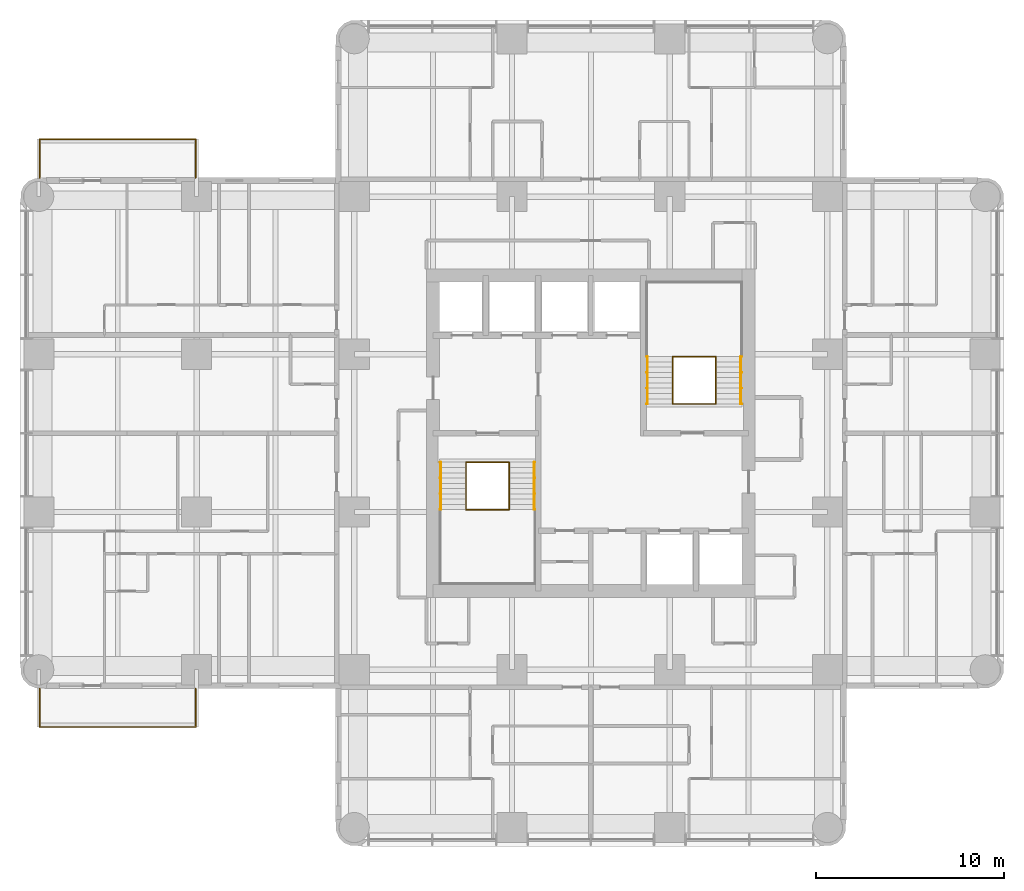
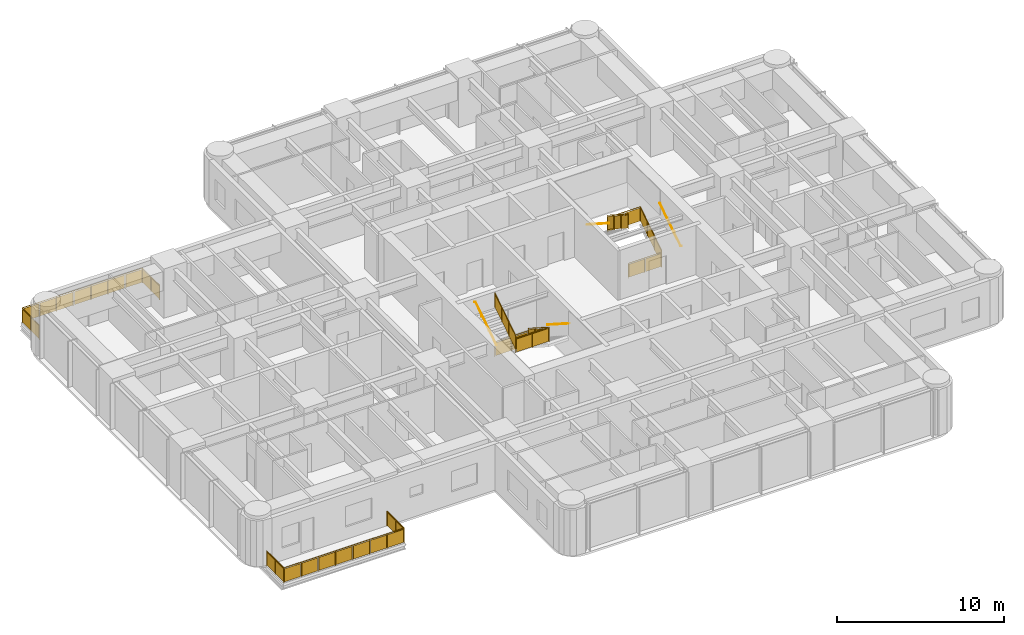
# One storey, part 11 of 11: 14 railings.
"""IFC4 building model written with IfcOpenShell, lengths in metres."""

from ifc_helpers import new_model, si_unit, direction, frame, origin, origin_2d, place, context, subcontext, project, spatial, polyline, circle, outline, extrude, material, constituent, constituent_set, type_object, element, save


model = new_model("IFC4")

# Units and contexts
model_context = context("Model", 3, precision=1e-05, world=origin(), true_north=direction((0.0, 1.0)))
body_context = subcontext(model_context, "Body", "Model", "MODEL_VIEW")
ifc_project = project(units=[si_unit("LENGTHUNIT", "METRE"), si_unit("AREAUNIT", "SQUARE_METRE"), si_unit("VOLUMEUNIT", "CUBIC_METRE"), si_unit("PLANEANGLEUNIT", "RADIAN"), si_unit("MASSUNIT", "GRAM", prefix="KILO")], contexts=[model_context])

# Site, building, storey
site_placement = place(None, origin())
site = spatial("IfcSite", under=ifc_project, at=site_placement, CompositionType="ELEMENT")
building_placement = place(site_placement, origin())
building = spatial("IfcBuilding", under=site, at=building_placement, Name="Torre Alcanfor", CompositionType="ELEMENT")
storey_placement = place(building_placement, frame((0.0, 0.0, 244.5)))
storey = spatial("IfcBuildingStorey", under=building, at=storey_placement, Name="L64", CompositionType="ELEMENT", Elevation=244.5)

# Railings
ifc_material_1 = material(Name="Laminated safety glass", Category="glass")
ifc_constituent_1 = constituent(ifc_material_1, Name="Infill")
ifc_material_2 = material(Name="Stainless steel ASTM A554 Grade MT 316L tube", Category="steel")
ifc_constituent_2 = constituent(ifc_material_2, Name="Posts and rail")
ifc_constituent_set = constituent_set(constituents=[ifc_constituent_1, ifc_constituent_2], Name="Balcony guard glass 1100")
railing_type_1 = type_object("IfcRailingType", Name="Balcony guard glass 1100", PredefinedType="BALUSTRADE", material=ifc_constituent_set)
railing_1_placement = place(storey_placement, frame((8.35009765625, 15.800048828125, 0.0)))
element("IfcRailing", 1, at=railing_1_placement, inside=storey, type_object=railing_type_1, Name="Balcony guard L64-W1", PredefinedType="BALUSTRADE", context=body_context, shape_type="SweptSolid", body=[
    extrude(circle(Radius=0.02392578125, at=origin_2d()), frame((0.0, 0.0, 1.076171875), z_axis=(0.0, -1.0, 0.0), x_axis=(1.0, 0.0, 0.0)), (0.0, 0.0, 1.0), 2.050048828125),
    extrude(circle(Radius=0.02392578125, at=origin_2d()), frame((0.0, -2.050048828125, 1.076171875), z_axis=(-1.0, 0.0, 0.0), x_axis=(0.0, -1.0, 0.0)), (0.0, 0.0, 1.0), 8.300048828125),
    extrude(circle(Radius=0.02392578125, at=origin_2d()), frame((-8.300048828125, -2.050048828125, 1.076171875), z_axis=(0.0, 1.0, 0.0), x_axis=(-1.0, 0.0, 0.0)), (0.0, 0.0, 1.0), 2.050048828125),
    extrude(circle(Radius=0.02099609375, at=origin_2d()), origin(), (0.0, 0.0, 1.0), 1.052001953125),
    extrude(circle(Radius=0.02099609375, at=origin_2d()), frame((0.0, -1.02490234375, 0.0)), (0.0, 0.0, 1.0), 1.052001953125),
    extrude(circle(Radius=0.02099609375, at=origin_2d()), frame((0.0, -2.050048828125, 0.0)), (0.0, 0.0, 1.0), 1.052001953125),
    extrude(circle(Radius=0.02099609375, at=origin_2d()), frame((-1.185791015625, -2.050048828125, 0.0)), (0.0, 0.0, 1.0), 1.052001953125),
    extrude(circle(Radius=0.02099609375, at=origin_2d()), frame((-2.371337890625, -2.050048828125, 0.0)), (0.0, 0.0, 1.0), 1.052001953125),
    extrude(circle(Radius=0.02099609375, at=origin_2d()), frame((-3.55712890625, -2.050048828125, 0.0)), (0.0, 0.0, 1.0), 1.052001953125),
    extrude(circle(Radius=0.02099609375, at=origin_2d()), frame((-4.742919921875, -2.050048828125, 0.0)), (0.0, 0.0, 1.0), 1.052001953125),
    extrude(circle(Radius=0.02099609375, at=origin_2d()), frame((-5.9287109375, -2.050048828125, 0.0)), (0.0, 0.0, 1.0), 1.052001953125),
    extrude(circle(Radius=0.02099609375, at=origin_2d()), frame((-7.1142578125, -2.050048828125, 0.0)), (0.0, 0.0, 1.0), 1.052001953125),
    extrude(circle(Radius=0.02099609375, at=origin_2d()), frame((-8.300048828125, -2.050048828125, 0.0)), (0.0, 0.0, 1.0), 1.052001953125),
    extrude(circle(Radius=0.02099609375, at=origin_2d()), frame((-8.300048828125, -1.02490234375, 0.0)), (0.0, 0.0, 1.0), 1.052001953125),
    extrude(circle(Radius=0.02099609375, at=origin_2d()), frame((-8.300048828125, 0.0, 0.0)), (0.0, 0.0, 1.0), 1.052001953125),
    extrude(outline(polyline([(0.041015625, 0.050048828125), (0.984130859375, 0.050048828125), (0.984130859375, 1.001953125), (0.041015625, 1.001953125), (0.041015625, 0.050048828125)])), frame((0.005859375, 0.0, 0.0), z_axis=(-1.0, 0.0, 0.0), x_axis=(0.0, -1.0, 0.0)), (0.0, 0.0, 1.0), 0.011962890625),
    extrude(outline(polyline([(1.06591796875, 0.050048828125), (2.009033203125, 0.050048828125), (2.009033203125, 1.001953125), (1.06591796875, 1.001953125), (1.06591796875, 0.050048828125)])), frame((0.005859375, 0.0, 0.0), z_axis=(-1.0, 0.0, 0.0), x_axis=(0.0, -1.0, 0.0)), (0.0, 0.0, 1.0), 0.011962890625),
    extrude(outline(polyline([(0.041015625, 0.050048828125), (1.144775390625, 0.050048828125), (1.144775390625, 1.001953125), (0.041015625, 1.001953125), (0.041015625, 0.050048828125)])), frame((0.0, -2.05615234375, 0.0), z_axis=(0.0, 1.0, 0.0), x_axis=(-1.0, 0.0, 0.0)), (0.0, 0.0, 1.0), 0.011962890625),
    extrude(outline(polyline([(1.226806640625, 0.050048828125), (2.330322265625, 0.050048828125), (2.330322265625, 1.001953125), (1.226806640625, 1.001953125), (1.226806640625, 0.050048828125)])), frame((0.0, -2.05615234375, 0.0), z_axis=(0.0, 1.0, 0.0), x_axis=(-1.0, 0.0, 0.0)), (0.0, 0.0, 1.0), 0.011962890625),
    extrude(outline(polyline([(2.412353515625, 0.050048828125), (3.51611328125, 0.050048828125), (3.51611328125, 1.001953125), (2.412353515625, 1.001953125), (2.412353515625, 0.050048828125)])), frame((0.0, -2.05615234375, 0.0), z_axis=(0.0, 1.0, 0.0), x_axis=(-1.0, 0.0, 0.0)), (0.0, 0.0, 1.0), 0.011962890625),
    extrude(outline(polyline([(3.59814453125, 0.050048828125), (4.701904296875, 0.050048828125), (4.701904296875, 1.001953125), (3.59814453125, 1.001953125), (3.59814453125, 0.050048828125)])), frame((0.0, -2.05615234375, 0.0), z_axis=(0.0, 1.0, 0.0), x_axis=(-1.0, 0.0, 0.0)), (0.0, 0.0, 1.0), 0.011962890625),
    extrude(outline(polyline([(4.783935546875, 0.050048828125), (5.8876953125, 0.050048828125), (5.8876953125, 1.001953125), (4.783935546875, 1.001953125), (4.783935546875, 0.050048828125)])), frame((0.0, -2.05615234375, 0.0), z_axis=(0.0, 1.0, 0.0), x_axis=(-1.0, 0.0, 0.0)), (0.0, 0.0, 1.0), 0.011962890625),
    extrude(outline(polyline([(5.9697265625, 0.050048828125), (7.0732421875, 0.050048828125), (7.0732421875, 1.001953125), (5.9697265625, 1.001953125), (5.9697265625, 0.050048828125)])), frame((0.0, -2.05615234375, 0.0), z_axis=(0.0, 1.0, 0.0), x_axis=(-1.0, 0.0, 0.0)), (0.0, 0.0, 1.0), 0.011962890625),
    extrude(outline(polyline([(7.1552734375, 0.050048828125), (8.259033203125, 0.050048828125), (8.259033203125, 1.001953125), (7.1552734375, 1.001953125), (7.1552734375, 0.050048828125)])), frame((0.0, -2.05615234375, 0.0), z_axis=(0.0, 1.0, 0.0), x_axis=(-1.0, 0.0, 0.0)), (0.0, 0.0, 1.0), 0.011962890625),
    extrude(outline(polyline([(0.041015625, 0.050048828125), (0.984130859375, 0.050048828125), (0.984130859375, 1.001953125), (0.041015625, 1.001953125), (0.041015625, 0.050048828125)])), frame((-8.30615234375, -2.050048828125, 0.0), z_axis=(1.0, 0.0, 0.0), x_axis=(0.0, 1.0, 0.0)), (0.0, 0.0, 1.0), 0.011962890625),
    extrude(outline(polyline([(1.06591796875, 0.050048828125), (2.009033203125, 0.050048828125), (2.009033203125, 1.001953125), (1.06591796875, 1.001953125), (1.06591796875, 0.050048828125)])), frame((-8.30615234375, -2.050048828125, 0.0), z_axis=(1.0, 0.0, 0.0), x_axis=(0.0, 1.0, 0.0)), (0.0, 0.0, 1.0), 0.011962890625),
])
railing_2_placement = place(storey_placement, frame((8.35009765625, 43.0, 0.0)))
element("IfcRailing", 2, at=railing_2_placement, inside=storey, type_object=railing_type_1, Name="Balcony guard L64-W2", PredefinedType="BALUSTRADE", context=body_context, shape_type="SweptSolid", body=[
    extrude(circle(Radius=0.02392578125, at=origin_2d()), frame((0.0, 0.0, 1.076171875), z_axis=(0.0, 1.0, 0.0), x_axis=(-1.0, 0.0, 0.0)), (0.0, 0.0, 1.0), 2.050048828125),
    extrude(circle(Radius=0.02392578125, at=origin_2d()), frame((0.0, 2.050048828125, 1.076171875), z_axis=(-1.0, 0.0, 0.0), x_axis=(0.0, -1.0, 0.0)), (0.0, 0.0, 1.0), 8.300048828125),
    extrude(circle(Radius=0.02392578125, at=origin_2d()), frame((-8.300048828125, 2.050048828125, 1.076171875), z_axis=(0.0, -1.0, 0.0), x_axis=(1.0, 0.0, 0.0)), (0.0, 0.0, 1.0), 2.050048828125),
    extrude(circle(Radius=0.02099609375, at=origin_2d()), origin(), (0.0, 0.0, 1.0), 1.052001953125),
    extrude(circle(Radius=0.02099609375, at=origin_2d()), frame((0.0, 1.02490234375, 0.0)), (0.0, 0.0, 1.0), 1.052001953125),
    extrude(circle(Radius=0.02099609375, at=origin_2d()), frame((0.0, 2.050048828125, 0.0)), (0.0, 0.0, 1.0), 1.052001953125),
    extrude(circle(Radius=0.02099609375, at=origin_2d()), frame((-1.185791015625, 2.050048828125, 0.0)), (0.0, 0.0, 1.0), 1.052001953125),
    extrude(circle(Radius=0.02099609375, at=origin_2d()), frame((-2.371337890625, 2.050048828125, 0.0)), (0.0, 0.0, 1.0), 1.052001953125),
    extrude(circle(Radius=0.02099609375, at=origin_2d()), frame((-3.55712890625, 2.050048828125, 0.0)), (0.0, 0.0, 1.0), 1.052001953125),
    extrude(circle(Radius=0.02099609375, at=origin_2d()), frame((-4.742919921875, 2.050048828125, 0.0)), (0.0, 0.0, 1.0), 1.052001953125),
    extrude(circle(Radius=0.02099609375, at=origin_2d()), frame((-5.9287109375, 2.050048828125, 0.0)), (0.0, 0.0, 1.0), 1.052001953125),
    extrude(circle(Radius=0.02099609375, at=origin_2d()), frame((-7.1142578125, 2.050048828125, 0.0)), (0.0, 0.0, 1.0), 1.052001953125),
    extrude(circle(Radius=0.02099609375, at=origin_2d()), frame((-8.300048828125, 2.050048828125, 0.0)), (0.0, 0.0, 1.0), 1.052001953125),
    extrude(circle(Radius=0.02099609375, at=origin_2d()), frame((-8.300048828125, 1.02490234375, 0.0)), (0.0, 0.0, 1.0), 1.052001953125),
    extrude(circle(Radius=0.02099609375, at=origin_2d()), frame((-8.300048828125, 0.0, 0.0)), (0.0, 0.0, 1.0), 1.052001953125),
    extrude(outline(polyline([(0.041015625, 0.050048828125), (0.984130859375, 0.050048828125), (0.984130859375, 1.001953125), (0.041015625, 1.001953125), (0.041015625, 0.050048828125)])), frame((-0.005859375, 0.0, 0.0), z_axis=(1.0, 0.0, 0.0), x_axis=(0.0, 1.0, 0.0)), (0.0, 0.0, 1.0), 0.011962890625),
    extrude(outline(polyline([(1.06591796875, 0.050048828125), (2.009033203125, 0.050048828125), (2.009033203125, 1.001953125), (1.06591796875, 1.001953125), (1.06591796875, 0.050048828125)])), frame((-0.005859375, 0.0, 0.0), z_axis=(1.0, 0.0, 0.0), x_axis=(0.0, 1.0, 0.0)), (0.0, 0.0, 1.0), 0.011962890625),
    extrude(outline(polyline([(0.041015625, 0.050048828125), (1.144775390625, 0.050048828125), (1.144775390625, 1.001953125), (0.041015625, 1.001953125), (0.041015625, 0.050048828125)])), frame((0.0, 2.0439453125, 0.0), z_axis=(0.0, 1.0, 0.0), x_axis=(-1.0, 0.0, 0.0)), (0.0, 0.0, 1.0), 0.011962890625),
    extrude(outline(polyline([(1.226806640625, 0.050048828125), (2.330322265625, 0.050048828125), (2.330322265625, 1.001953125), (1.226806640625, 1.001953125), (1.226806640625, 0.050048828125)])), frame((0.0, 2.0439453125, 0.0), z_axis=(0.0, 1.0, 0.0), x_axis=(-1.0, 0.0, 0.0)), (0.0, 0.0, 1.0), 0.011962890625),
    extrude(outline(polyline([(2.412353515625, 0.050048828125), (3.51611328125, 0.050048828125), (3.51611328125, 1.001953125), (2.412353515625, 1.001953125), (2.412353515625, 0.050048828125)])), frame((0.0, 2.0439453125, 0.0), z_axis=(0.0, 1.0, 0.0), x_axis=(-1.0, 0.0, 0.0)), (0.0, 0.0, 1.0), 0.011962890625),
    extrude(outline(polyline([(3.59814453125, 0.050048828125), (4.701904296875, 0.050048828125), (4.701904296875, 1.001953125), (3.59814453125, 1.001953125), (3.59814453125, 0.050048828125)])), frame((0.0, 2.0439453125, 0.0), z_axis=(0.0, 1.0, 0.0), x_axis=(-1.0, 0.0, 0.0)), (0.0, 0.0, 1.0), 0.011962890625),
    extrude(outline(polyline([(4.783935546875, 0.050048828125), (5.8876953125, 0.050048828125), (5.8876953125, 1.001953125), (4.783935546875, 1.001953125), (4.783935546875, 0.050048828125)])), frame((0.0, 2.0439453125, 0.0), z_axis=(0.0, 1.0, 0.0), x_axis=(-1.0, 0.0, 0.0)), (0.0, 0.0, 1.0), 0.011962890625),
    extrude(outline(polyline([(5.9697265625, 0.050048828125), (7.0732421875, 0.050048828125), (7.0732421875, 1.001953125), (5.9697265625, 1.001953125), (5.9697265625, 0.050048828125)])), frame((0.0, 2.0439453125, 0.0), z_axis=(0.0, 1.0, 0.0), x_axis=(-1.0, 0.0, 0.0)), (0.0, 0.0, 1.0), 0.011962890625),
    extrude(outline(polyline([(7.1552734375, 0.050048828125), (8.259033203125, 0.050048828125), (8.259033203125, 1.001953125), (7.1552734375, 1.001953125), (7.1552734375, 0.050048828125)])), frame((0.0, 2.0439453125, 0.0), z_axis=(0.0, 1.0, 0.0), x_axis=(-1.0, 0.0, 0.0)), (0.0, 0.0, 1.0), 0.011962890625),
    extrude(outline(polyline([(0.041015625, 0.050048828125), (0.984130859375, 0.050048828125), (0.984130859375, 1.001953125), (0.041015625, 1.001953125), (0.041015625, 0.050048828125)])), frame((-8.2939453125, 2.050048828125, 0.0), z_axis=(-1.0, 0.0, 0.0), x_axis=(0.0, -1.0, 0.0)), (0.0, 0.0, 1.0), 0.011962890625),
    extrude(outline(polyline([(1.06591796875, 0.050048828125), (2.009033203125, 0.050048828125), (2.009033203125, 1.001953125), (1.06591796875, 1.001953125), (1.06591796875, 0.050048828125)])), frame((-8.2939453125, 2.050048828125, 0.0), z_axis=(-1.0, 0.0, 0.0), x_axis=(0.0, -1.0, 0.0)), (0.0, 0.0, 1.0), 0.011962890625),
])
ifc_material_3 = material(Name="Steel ASTM A500 Grade C hollow sections", Category="steel")
railing_type_2 = type_object("IfcRailingType", Name="Stair guard and handrail 1100", PredefinedType="GUARDRAIL", material=ifc_material_3)
railing_3_placement = place(storey_placement, frame((25.050048828125, 27.85009765625, 0.179931640625)))
element("IfcRailing", 3, at=railing_3_placement, inside=storey, type_object=railing_type_2, Name="Stair guard S1 L64 flight 1", PredefinedType="GUARDRAIL", context=body_context, shape_type="SweptSolid", body=[
    extrude(circle(Radius=0.02392578125, at=origin_2d()), frame((0.0, 0.0, 1.076171875), z_axis=(0.0, -0.841162588446, 0.540782303519), x_axis=(1.0, 0.0, 0.0)), (0.0, 0.0, 1.0), 2.995849609375),
    extrude(circle(Radius=0.02099609375, at=origin_2d()), origin(), (0.0, 0.0, 1.0), 1.052001953125),
    extrude(circle(Radius=0.02099609375, at=origin_2d()), frame((0.0, -0.840087890625, 0.5400390625)), (0.0, 0.0, 1.0), 1.052001953125),
    extrude(circle(Radius=0.02099609375, at=origin_2d()), frame((0.0, -1.679931640625, 1.080078125)), (0.0, 0.0, 1.0), 1.052001953125),
    extrude(circle(Radius=0.02099609375, at=origin_2d()), frame((0.0, -2.52001953125, 1.6201171875)), (0.0, 0.0, 1.0), 1.052001953125),
    extrude(outline(polyline([(0.041015625, 0.076416015625), (0.799072265625, 0.563720703125), (0.799072265625, 1.515625), (0.041015625, 1.0283203125), (0.041015625, 0.076416015625)])), frame((0.005859375, 0.0, 0.0), z_axis=(-1.0, 0.0, 0.0), x_axis=(0.0, -1.0, 0.0)), (0.0, 0.0, 1.0), 0.011962890625),
    extrude(outline(polyline([(0.881103515625, 0.616455078125), (1.638916015625, 1.103759765625), (1.638916015625, 2.0556640625), (0.881103515625, 1.568359375), (0.881103515625, 0.616455078125)])), frame((0.005859375, 0.0, 0.0), z_axis=(-1.0, 0.0, 0.0), x_axis=(0.0, -1.0, 0.0)), (0.0, 0.0, 1.0), 0.011962890625),
    extrude(outline(polyline([(1.720947265625, 1.156494140625), (2.47900390625, 1.643798828125), (2.47900390625, 2.595703125), (1.720947265625, 2.1083984375), (1.720947265625, 1.156494140625)])), frame((0.005859375, 0.0, 0.0), z_axis=(-1.0, 0.0, 0.0), x_axis=(0.0, -1.0, 0.0)), (0.0, 0.0, 1.0), 0.011962890625),
])
railing_4_placement = place(storey_placement, frame((22.75, 25.330078125, 1.97998046875)))
element("IfcRailing", 4, at=railing_4_placement, inside=storey, type_object=railing_type_2, Name="Stair guard S1 L64 flight 2", PredefinedType="GUARDRAIL", context=body_context, shape_type="SweptSolid", body=[
    extrude(circle(Radius=0.02392578125, at=origin_2d()), frame((0.0, 0.0, 1.076171875), z_axis=(0.0, 0.841162588446, 0.540782303519), x_axis=(-1.0, 0.0, 0.0)), (0.0, 0.0, 1.0), 2.995849609375),
    extrude(circle(Radius=0.02099609375, at=origin_2d()), origin(), (0.0, 0.0, 1.0), 1.052001953125),
    extrude(circle(Radius=0.02099609375, at=origin_2d()), frame((0.0, 0.840087890625, 0.5400390625)), (0.0, 0.0, 1.0), 1.052001953125),
    extrude(circle(Radius=0.02099609375, at=origin_2d()), frame((0.0, 1.679931640625, 1.080078125)), (0.0, 0.0, 1.0), 1.052001953125),
    extrude(circle(Radius=0.02099609375, at=origin_2d()), frame((0.0, 2.52001953125, 1.6201171875)), (0.0, 0.0, 1.0), 1.052001953125),
    extrude(outline(polyline([(0.041015625, 0.076416015625), (0.799072265625, 0.563720703125), (0.799072265625, 1.515625), (0.041015625, 1.0283203125), (0.041015625, 0.076416015625)])), frame((-0.005859375, 0.0, 0.0), z_axis=(1.0, 0.0, 0.0), x_axis=(0.0, 1.0, 0.0)), (0.0, 0.0, 1.0), 0.011962890625),
    extrude(outline(polyline([(0.881103515625, 0.616455078125), (1.638916015625, 1.103759765625), (1.638916015625, 2.0556640625), (0.881103515625, 1.568359375), (0.881103515625, 0.616455078125)])), frame((-0.005859375, 0.0, 0.0), z_axis=(1.0, 0.0, 0.0), x_axis=(0.0, 1.0, 0.0)), (0.0, 0.0, 1.0), 0.011962890625),
    extrude(outline(polyline([(1.720947265625, 1.156494140625), (2.47900390625, 1.643798828125), (2.47900390625, 2.595703125), (1.720947265625, 2.1083984375), (1.720947265625, 1.156494140625)])), frame((-0.005859375, 0.0, 0.0), z_axis=(1.0, 0.0, 0.0), x_axis=(0.0, 1.0, 0.0)), (0.0, 0.0, 1.0), 0.011962890625),
])
for number, where, name in (
    (5, (22.75, 27.85009765625, 0.0), "Stair well guard S1 L64 floor landing"),
    (6, (22.75, 25.330078125, 1.800048828125), "Stair well guard S1 L64 half landing"),
):
    element("IfcRailing", number, at=place(storey_placement, frame(where)), inside=storey, type_object=railing_type_2, Name=name, PredefinedType="GUARDRAIL", context=body_context, shape_type="SweptSolid", body=[
        extrude(circle(Radius=0.02392578125, at=origin_2d()), frame((0.0, 0.0, 1.076171875), z_axis=(1.0, 0.0, 0.0), x_axis=(0.0, 1.0, 0.0)), (0.0, 0.0, 1.0), 2.300048828125),
        extrude(circle(Radius=0.02099609375, at=origin_2d()), origin(), (0.0, 0.0, 1.0), 1.052001953125),
        extrude(circle(Radius=0.02099609375, at=origin_2d()), frame((1.14990234375, 0.0, 0.0)), (0.0, 0.0, 1.0), 1.052001953125),
        extrude(circle(Radius=0.02099609375, at=origin_2d()), frame((2.300048828125, 0.0, 0.0)), (0.0, 0.0, 1.0), 1.052001953125),
        extrude(outline(polyline([(0.041015625, 0.050048828125), (1.109130859375, 0.050048828125), (1.109130859375, 1.001953125), (0.041015625, 1.001953125), (0.041015625, 0.050048828125)])), frame((0.0, 0.005859375, 0.0), z_axis=(0.0, -1.0, 0.0), x_axis=(1.0, 0.0, 0.0)), (0.0, 0.0, 1.0), 0.011962890625),
        extrude(outline(polyline([(1.19091796875, 0.050048828125), (2.259033203125, 0.050048828125), (2.259033203125, 1.001953125), (1.19091796875, 1.001953125), (1.19091796875, 0.050048828125)])), frame((0.0, 0.005859375, 0.0), z_axis=(0.0, -1.0, 0.0), x_axis=(1.0, 0.0, 0.0)), (0.0, 0.0, 1.0), 0.011962890625),
    ])
railing_5_placement = place(storey_placement, frame((36.050048828125, 30.949951171875, 0.179931640625)))
element("IfcRailing", 7, at=railing_5_placement, inside=storey, type_object=railing_type_2, Name="Stair guard S2 L64 flight 1", PredefinedType="GUARDRAIL", context=body_context, shape_type="SweptSolid", body=[
    extrude(circle(Radius=0.02392578125, at=origin_2d()), frame((0.0, 0.0, 1.076171875), z_axis=(0.0, 0.841162588446, 0.540782303519), x_axis=(-1.0, 0.0, 0.0)), (0.0, 0.0, 1.0), 2.995849609375),
    extrude(circle(Radius=0.02099609375, at=origin_2d()), origin(), (0.0, 0.0, 1.0), 1.052001953125),
    extrude(circle(Radius=0.02099609375, at=origin_2d()), frame((0.0, 0.840087890625, 0.5400390625)), (0.0, 0.0, 1.0), 1.052001953125),
    extrude(circle(Radius=0.02099609375, at=origin_2d()), frame((0.0, 1.679931640625, 1.080078125)), (0.0, 0.0, 1.0), 1.052001953125),
    extrude(circle(Radius=0.02099609375, at=origin_2d()), frame((0.0, 2.52001953125, 1.6201171875)), (0.0, 0.0, 1.0), 1.052001953125),
    extrude(outline(polyline([(0.041015625, 0.076416015625), (0.799072265625, 0.563720703125), (0.799072265625, 1.515625), (0.041015625, 1.0283203125), (0.041015625, 0.076416015625)])), frame((-0.005859375, 0.0, 0.0), z_axis=(1.0, 0.0, 0.0), x_axis=(0.0, 1.0, 0.0)), (0.0, 0.0, 1.0), 0.011962890625),
    extrude(outline(polyline([(0.881103515625, 0.616455078125), (1.638916015625, 1.103759765625), (1.638916015625, 2.0556640625), (0.881103515625, 1.568359375), (0.881103515625, 0.616455078125)])), frame((-0.005859375, 0.0, 0.0), z_axis=(1.0, 0.0, 0.0), x_axis=(0.0, 1.0, 0.0)), (0.0, 0.0, 1.0), 0.011962890625),
    extrude(outline(polyline([(1.720947265625, 1.156494140625), (2.47900390625, 1.643798828125), (2.47900390625, 2.595703125), (1.720947265625, 2.1083984375), (1.720947265625, 1.156494140625)])), frame((-0.005859375, 0.0, 0.0), z_axis=(1.0, 0.0, 0.0), x_axis=(0.0, 1.0, 0.0)), (0.0, 0.0, 1.0), 0.011962890625),
])
railing_6_placement = place(storey_placement, frame((33.75, 33.469970703125, 1.97998046875)))
element("IfcRailing", 8, at=railing_6_placement, inside=storey, type_object=railing_type_2, Name="Stair guard S2 L64 flight 2", PredefinedType="GUARDRAIL", context=body_context, shape_type="SweptSolid", body=[
    extrude(circle(Radius=0.02392578125, at=origin_2d()), frame((0.0, 0.0, 1.076171875), z_axis=(0.0, -0.841162588446, 0.540782303519), x_axis=(1.0, 0.0, 0.0)), (0.0, 0.0, 1.0), 2.995849609375),
    extrude(circle(Radius=0.02099609375, at=origin_2d()), origin(), (0.0, 0.0, 1.0), 1.052001953125),
    extrude(circle(Radius=0.02099609375, at=origin_2d()), frame((0.0, -0.840087890625, 0.5400390625)), (0.0, 0.0, 1.0), 1.052001953125),
    extrude(circle(Radius=0.02099609375, at=origin_2d()), frame((0.0, -1.679931640625, 1.080078125)), (0.0, 0.0, 1.0), 1.052001953125),
    extrude(circle(Radius=0.02099609375, at=origin_2d()), frame((0.0, -2.52001953125, 1.6201171875)), (0.0, 0.0, 1.0), 1.052001953125),
    extrude(outline(polyline([(0.041015625, 0.076416015625), (0.799072265625, 0.563720703125), (0.799072265625, 1.515625), (0.041015625, 1.0283203125), (0.041015625, 0.076416015625)])), frame((0.005859375, 0.0, 0.0), z_axis=(-1.0, 0.0, 0.0), x_axis=(0.0, -1.0, 0.0)), (0.0, 0.0, 1.0), 0.011962890625),
    extrude(outline(polyline([(0.881103515625, 0.616455078125), (1.638916015625, 1.103759765625), (1.638916015625, 2.0556640625), (0.881103515625, 1.568359375), (0.881103515625, 0.616455078125)])), frame((0.005859375, 0.0, 0.0), z_axis=(-1.0, 0.0, 0.0), x_axis=(0.0, -1.0, 0.0)), (0.0, 0.0, 1.0), 0.011962890625),
    extrude(outline(polyline([(1.720947265625, 1.156494140625), (2.47900390625, 1.643798828125), (2.47900390625, 2.595703125), (1.720947265625, 2.1083984375), (1.720947265625, 1.156494140625)])), frame((0.005859375, 0.0, 0.0), z_axis=(-1.0, 0.0, 0.0), x_axis=(0.0, -1.0, 0.0)), (0.0, 0.0, 1.0), 0.011962890625),
])
for number, where, name in (
    (9, (33.75, 30.949951171875, 0.0), "Stair well guard S2 L64 floor landing"),
    (10, (33.75, 33.469970703125, 1.800048828125), "Stair well guard S2 L64 half landing"),
):
    element("IfcRailing", number, at=place(storey_placement, frame(where)), inside=storey, type_object=railing_type_2, Name=name, PredefinedType="GUARDRAIL", context=body_context, shape_type="SweptSolid", body=[
        extrude(circle(Radius=0.02392578125, at=origin_2d()), frame((0.0, 0.0, 1.076171875), z_axis=(1.0, 0.0, 0.0), x_axis=(0.0, 1.0, 0.0)), (0.0, 0.0, 1.0), 2.300048828125),
        extrude(circle(Radius=0.02099609375, at=origin_2d()), origin(), (0.0, 0.0, 1.0), 1.052001953125),
        extrude(circle(Radius=0.02099609375, at=origin_2d()), frame((1.14990234375, 0.0, 0.0)), (0.0, 0.0, 1.0), 1.052001953125),
        extrude(circle(Radius=0.02099609375, at=origin_2d()), frame((2.300048828125, 0.0, 0.0)), (0.0, 0.0, 1.0), 1.052001953125),
        extrude(outline(polyline([(0.041015625, 0.050048828125), (1.109130859375, 0.050048828125), (1.109130859375, 1.001953125), (0.041015625, 1.001953125), (0.041015625, 0.050048828125)])), frame((0.0, 0.005859375, 0.0), z_axis=(0.0, -1.0, 0.0), x_axis=(1.0, 0.0, 0.0)), (0.0, 0.0, 1.0), 0.011962890625),
        extrude(outline(polyline([(1.19091796875, 0.050048828125), (2.259033203125, 0.050048828125), (2.259033203125, 1.001953125), (1.19091796875, 1.001953125), (1.19091796875, 0.050048828125)])), frame((0.0, 0.005859375, 0.0), z_axis=(0.0, -1.0, 0.0), x_axis=(1.0, 0.0, 0.0)), (0.0, 0.0, 1.0), 0.011962890625),
    ])
ifc_material_4 = material(Name="Steel ASTM A500 Grade C hollow sections", Category="steel")
railing_type_3 = type_object("IfcRailingType", Name="Stair wall handrail 900", PredefinedType="HANDRAIL", material=ifc_material_4)
railing_7_placement = place(storey_placement, frame((26.385009765625, 27.85009765625, 0.179931640625)))
element("IfcRailing", 11, at=railing_7_placement, inside=storey, type_object=railing_type_3, Name="Stair handrail S1 L64 flight 1", PredefinedType="HANDRAIL", context=body_context, shape_type="SweptSolid", body=[
    extrude(circle(Radius=0.02392578125, at=origin_2d()), frame((0.0, 0.0, 0.8759765625), z_axis=(0.0, -0.841162588446, 0.540782303519), x_axis=(1.0, 0.0, 0.0)), (0.0, 0.0, 1.0), 2.995849609375),
    extrude(circle(Radius=0.008056640625, at=origin_2d()), frame((0.0, 0.0, 0.8759765625), z_axis=(1.0, 0.0, 0.0), x_axis=(0.0, 0.0, 1.0)), (0.0, 0.0, 1.0), 0.06494140625),
    extrude(circle(Radius=0.008056640625, at=origin_2d()), frame((0.0, -0.840087890625, 1.416015625), z_axis=(1.0, 0.0, 0.0), x_axis=(0.0, 0.0, 1.0)), (0.0, 0.0, 1.0), 0.06494140625),
    extrude(circle(Radius=0.008056640625, at=origin_2d()), frame((0.0, -1.679931640625, 1.9560546875), z_axis=(1.0, 0.0, 0.0), x_axis=(0.0, 0.0, 1.0)), (0.0, 0.0, 1.0), 0.06494140625),
    extrude(circle(Radius=0.008056640625, at=origin_2d()), frame((0.0, -2.52001953125, 2.49609375), z_axis=(1.0, 0.0, 0.0), x_axis=(0.0, 0.0, 1.0)), (0.0, 0.0, 1.0), 0.06494140625),
])
railing_8_placement = place(storey_placement, frame((21.4150390625, 25.330078125, 1.97998046875)))
element("IfcRailing", 12, at=railing_8_placement, inside=storey, type_object=railing_type_3, Name="Stair handrail S1 L64 flight 2", PredefinedType="HANDRAIL", context=body_context, shape_type="SweptSolid", body=[
    extrude(circle(Radius=0.02392578125, at=origin_2d()), frame((0.0, 0.0, 0.8759765625), z_axis=(0.0, 0.841162588446, 0.540782303519), x_axis=(-1.0, 0.0, 0.0)), (0.0, 0.0, 1.0), 2.995849609375),
    extrude(circle(Radius=0.008056640625, at=origin_2d()), frame((0.0, 0.0, 0.8759765625), z_axis=(-1.0, 0.0, 0.0), x_axis=(0.0, 0.0, 1.0)), (0.0, 0.0, 1.0), 0.06494140625),
    extrude(circle(Radius=0.008056640625, at=origin_2d()), frame((0.0, 0.840087890625, 1.416015625), z_axis=(-1.0, 0.0, 0.0), x_axis=(0.0, 0.0, 1.0)), (0.0, 0.0, 1.0), 0.06494140625),
    extrude(circle(Radius=0.008056640625, at=origin_2d()), frame((0.0, 1.679931640625, 1.9560546875), z_axis=(-1.0, 0.0, 0.0), x_axis=(0.0, 0.0, 1.0)), (0.0, 0.0, 1.0), 0.06494140625),
    extrude(circle(Radius=0.008056640625, at=origin_2d()), frame((0.0, 2.52001953125, 2.49609375), z_axis=(-1.0, 0.0, 0.0), x_axis=(0.0, 0.0, 1.0)), (0.0, 0.0, 1.0), 0.06494140625),
])
railing_9_placement = place(storey_placement, frame((37.385009765625, 30.949951171875, 0.179931640625)))
element("IfcRailing", 13, at=railing_9_placement, inside=storey, type_object=railing_type_3, Name="Stair handrail S2 L64 flight 1", PredefinedType="HANDRAIL", context=body_context, shape_type="SweptSolid", body=[
    extrude(circle(Radius=0.02392578125, at=origin_2d()), frame((0.0, 0.0, 0.8759765625), z_axis=(0.0, 0.841162588446, 0.540782303519), x_axis=(-1.0, 0.0, 0.0)), (0.0, 0.0, 1.0), 2.995849609375),
    extrude(circle(Radius=0.008056640625, at=origin_2d()), frame((0.0, 0.0, 0.8759765625), z_axis=(1.0, 0.0, 0.0), x_axis=(0.0, 0.0, 1.0)), (0.0, 0.0, 1.0), 0.06494140625),
    extrude(circle(Radius=0.008056640625, at=origin_2d()), frame((0.0, 0.840087890625, 1.416015625), z_axis=(1.0, 0.0, 0.0), x_axis=(0.0, 0.0, 1.0)), (0.0, 0.0, 1.0), 0.06494140625),
    extrude(circle(Radius=0.008056640625, at=origin_2d()), frame((0.0, 1.679931640625, 1.9560546875), z_axis=(1.0, 0.0, 0.0), x_axis=(0.0, 0.0, 1.0)), (0.0, 0.0, 1.0), 0.06494140625),
    extrude(circle(Radius=0.008056640625, at=origin_2d()), frame((0.0, 2.52001953125, 2.49609375), z_axis=(1.0, 0.0, 0.0), x_axis=(0.0, 0.0, 1.0)), (0.0, 0.0, 1.0), 0.06494140625),
])
railing_10_placement = place(storey_placement, frame((32.4150390625, 33.469970703125, 1.97998046875)))
element("IfcRailing", 14, at=railing_10_placement, inside=storey, type_object=railing_type_3, Name="Stair handrail S2 L64 flight 2", PredefinedType="HANDRAIL", context=body_context, shape_type="SweptSolid", body=[
    extrude(circle(Radius=0.02392578125, at=origin_2d()), frame((0.0, 0.0, 0.8759765625), z_axis=(0.0, -0.841162588446, 0.540782303519), x_axis=(1.0, 0.0, 0.0)), (0.0, 0.0, 1.0), 2.995849609375),
    extrude(circle(Radius=0.008056640625, at=origin_2d()), frame((0.0, 0.0, 0.8759765625), z_axis=(-1.0, 0.0, 0.0), x_axis=(0.0, 0.0, 1.0)), (0.0, 0.0, 1.0), 0.06494140625),
    extrude(circle(Radius=0.008056640625, at=origin_2d()), frame((0.0, -0.840087890625, 1.416015625), z_axis=(-1.0, 0.0, 0.0), x_axis=(0.0, 0.0, 1.0)), (0.0, 0.0, 1.0), 0.06494140625),
    extrude(circle(Radius=0.008056640625, at=origin_2d()), frame((0.0, -1.679931640625, 1.9560546875), z_axis=(-1.0, 0.0, 0.0), x_axis=(0.0, 0.0, 1.0)), (0.0, 0.0, 1.0), 0.06494140625),
    extrude(circle(Radius=0.008056640625, at=origin_2d()), frame((0.0, -2.52001953125, 2.49609375), z_axis=(-1.0, 0.0, 0.0), x_axis=(0.0, 0.0, 1.0)), (0.0, 0.0, 1.0), 0.06494140625),
])

save(model, "model.ifc")
